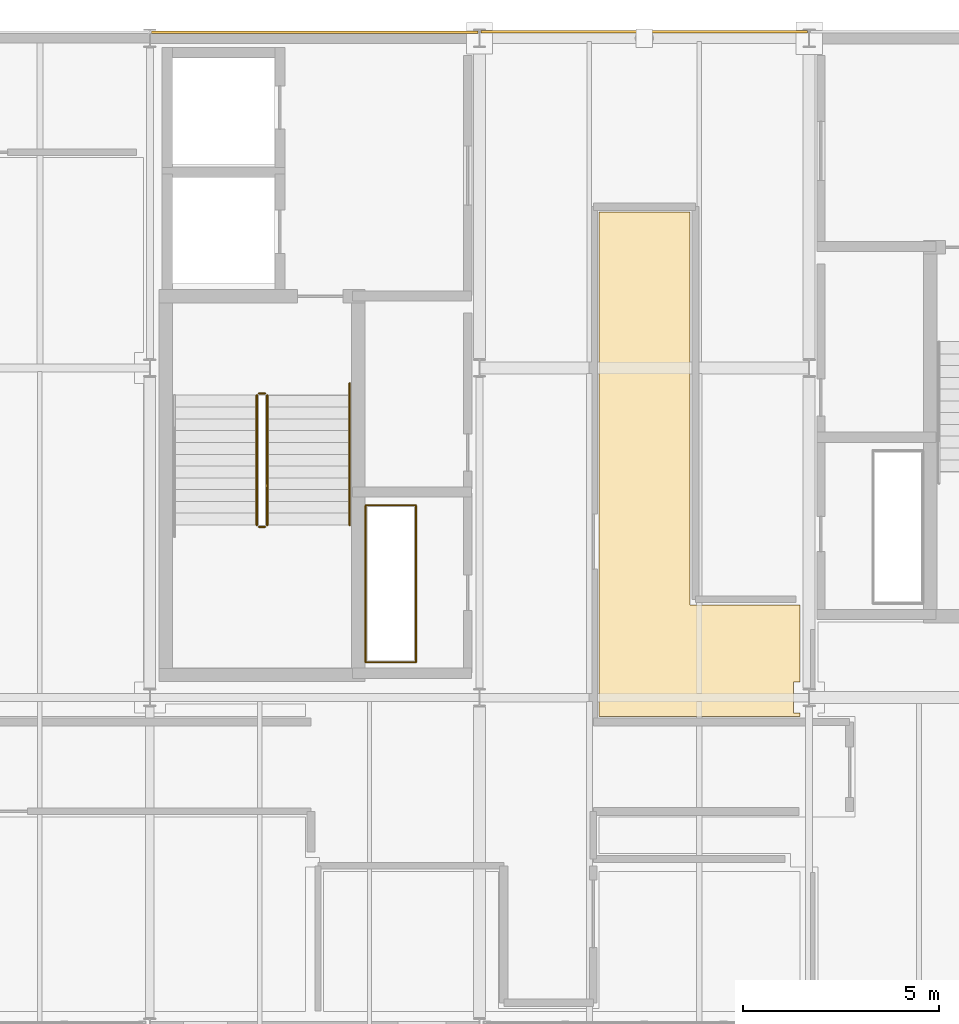
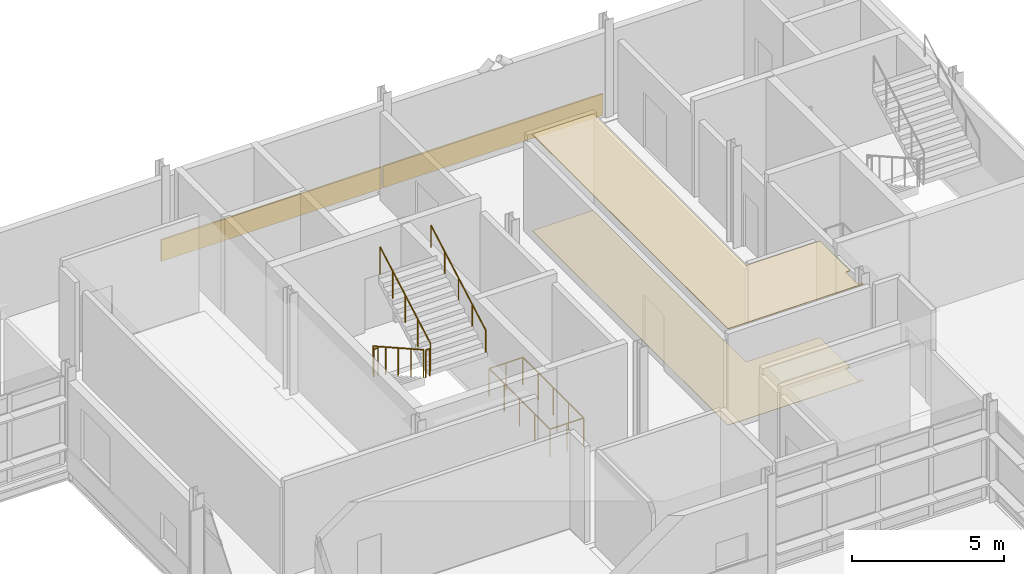
# One storey, part 102 of 103: 6 railings, 4 coverings.
"""IFC4 building model written with IfcOpenShell, lengths in metres."""

from ifc_helpers import new_model, si_unit, direction, frame, origin, origin_2d, place, context, subcontext, project, spatial, polyline, rectangle, circle, outline, extrude, material, layer, layer_set, type_object, element, save


model = new_model("IFC4")

# Units and contexts
model_context = context("Model", 3, precision=1e-05, world=origin(), true_north=direction((0.0, 1.0)))
body_context = subcontext(model_context, "Body", "Model", "MODEL_VIEW")
ifc_project = project(units=[si_unit("LENGTHUNIT", "METRE"), si_unit("AREAUNIT", "SQUARE_METRE"), si_unit("VOLUMEUNIT", "CUBIC_METRE"), si_unit("PLANEANGLEUNIT", "RADIAN"), si_unit("MASSUNIT", "GRAM", prefix="KILO")], contexts=[model_context])

# Site, building, storey
site_placement = place(None, origin())
site = spatial("IfcSite", under=ifc_project, at=site_placement, CompositionType="ELEMENT")
building_placement = place(site_placement, origin())
building = spatial("IfcBuilding", under=site, at=building_placement, Name="Mersafa Astral City Hall", CompositionType="ELEMENT")
storey_placement = place(building_placement, frame((0.0, 0.0, 18.0)))
storey = spatial("IfcBuildingStorey", under=building, at=storey_placement, Name="L04", CompositionType="ELEMENT", Elevation=18.0)

# Coverings
ifc_material_1 = material(Name="Cairo Mokattam buff limestone cladding", Category="masonry")
ifc_layer_1 = layer(ifc_material_1, 0.06005859375, Name="Cairo Mokattam buff limestone cladding")
ifc_layer_set_1 = layer_set([ifc_layer_1], Name="Cairo Mokattam buff limestone cladding — ENV-COV-LIMESTONE-60")
covering_type_1 = type_object("IfcCoveringType", Name="ENV-COV-LIMESTONE-60", PredefinedType="CLADDING", material=ifc_layer_set_1)
for number, where, z_axis, x_axis, name in (
    (1, (163.800048828125, 126.162109375, 0.0), (0.0, 0.0, 1.0), (-1.0, 0.0, 0.0), "L04 Cairo buff limestone rainscreen cladding 281"),
    (2, (155.39990234375, 126.154541015625, 0.0), (0.0, 0.0, 1.0), (-1.0, 0.0, 0.0), "L04 Cairo buff limestone rainscreen cladding 282"),
):
    element("IfcCovering", number, at=place(storey_placement, frame(where, z_axis=z_axis, x_axis=x_axis)), inside=storey, type_object=covering_type_1, Name=name, PredefinedType="CLADDING", context=body_context, shape_type="SweptSolid", body=[
        extrude(rectangle(XDim=8.323974609375, YDim=0.06005859375, at=origin_2d()), origin(), (0.0, 0.0, 1.0), 0.860107421875),
    ])

# Railings
ifc_material_2 = material(Name="Painted architectural steel stair guard balustrade", Category="steel")
railing_type_1 = type_object("IfcRailingType", Name="GUARD-RAIL", PredefinedType="BALUSTRADE", material=ifc_material_2)
railing_1_placement = place(storey_placement, frame((153.929931640625, 116.89990234375, 0.168701171875)))
element("IfcRailing", 3, at=railing_1_placement, inside=storey, type_object=railing_type_1, Name="L04 ST1 stair guard 1", PredefinedType="BALUSTRADE", context=body_context, shape_type="SweptSolid", body=[
    extrude(circle(Radius=0.02392578125, at=origin_2d()), frame((0.0, 0.0, 1.09619140625), z_axis=(0.0, -0.871568648517, 0.490273485845), x_axis=(1.0, 0.0, 0.0)), (0.0, 0.0, 1.0), 3.7861328125),
    extrude(circle(Radius=0.02099609375, at=origin_2d()), origin(), (0.0, 0.0, 1.0), 1.072021484375),
    extrude(circle(Radius=0.02099609375, at=origin_2d()), frame((0.0, -0.824951171875, 0.464111328125)), (0.0, 0.0, 1.0), 1.072021484375),
    extrude(circle(Radius=0.02099609375, at=origin_2d()), frame((0.0, -1.64990234375, 0.92822265625)), (0.0, 0.0, 1.0), 1.072021484375),
    extrude(circle(Radius=0.02099609375, at=origin_2d()), frame((0.0, -2.474853515625, 1.39208984375)), (0.0, 0.0, 1.0), 1.072021484375),
    extrude(circle(Radius=0.02099609375, at=origin_2d()), frame((0.0, -3.2998046875, 1.856201171875)), (0.0, 0.0, 1.0), 1.072021484375),
])
railing_2_placement = place(storey_placement, frame((153.97998046875, 113.550048828125, 2.02490234375)))
element("IfcRailing", 4, at=railing_2_placement, inside=storey, type_object=railing_type_1, Name="L04 ST1 stair guard 2", PredefinedType="BALUSTRADE", context=body_context, shape_type="SweptSolid", body=[
    extrude(circle(Radius=0.02392578125, at=origin_2d()), frame((0.0, 0.0, 1.09619140625), z_axis=(1.0, 0.0, 0.0), x_axis=(0.0, 1.0, 0.0)), (0.0, 0.0, 1.0), 0.159912109375),
    extrude(circle(Radius=0.02099609375, at=origin_2d()), origin(), (0.0, 0.0, 1.0), 1.072021484375),
    extrude(circle(Radius=0.02099609375, at=origin_2d()), frame((0.159912109375, 0.0, 0.0)), (0.0, 0.0, 1.0), 1.072021484375),
])
railing_3_placement = place(storey_placement, frame((154.18994140625, 113.60009765625, 2.19384765625)))
element("IfcRailing", 5, at=railing_3_placement, inside=storey, type_object=railing_type_1, Name="L04 ST1 stair guard 3", PredefinedType="BALUSTRADE", context=body_context, shape_type="SweptSolid", body=[
    extrude(circle(Radius=0.02392578125, at=origin_2d()), frame((0.0, 0.0, 1.09619140625), z_axis=(0.0, 0.871568648517, 0.490273485845), x_axis=(-1.0, 0.0, 0.0)), (0.0, 0.0, 1.0), 3.7861328125),
    extrude(circle(Radius=0.02099609375, at=origin_2d()), origin(), (0.0, 0.0, 1.0), 1.072021484375),
    extrude(circle(Radius=0.02099609375, at=origin_2d()), frame((0.0, 0.824951171875, 0.464111328125)), (0.0, 0.0, 1.0), 1.072021484375),
    extrude(circle(Radius=0.02099609375, at=origin_2d()), frame((0.0, 1.64990234375, 0.92822265625)), (0.0, 0.0, 1.0), 1.072021484375),
    extrude(circle(Radius=0.02099609375, at=origin_2d()), frame((0.0, 2.474853515625, 1.39208984375)), (0.0, 0.0, 1.0), 1.072021484375),
    extrude(circle(Radius=0.02099609375, at=origin_2d()), frame((0.0, 3.2998046875, 1.856201171875)), (0.0, 0.0, 1.0), 1.072021484375),
])
railing_4_placement = place(storey_placement, frame((153.97998046875, 116.949951171875, 0.0)))
element("IfcRailing", 6, at=railing_4_placement, inside=storey, type_object=railing_type_1, Name="L04 ST1 stair guard 4", PredefinedType="BALUSTRADE", context=body_context, shape_type="SweptSolid", body=[
    extrude(circle(Radius=0.02392578125, at=origin_2d()), frame((0.0, 0.0, 1.09619140625), z_axis=(1.0, 0.0, 0.0), x_axis=(0.0, 1.0, 0.0)), (0.0, 0.0, 1.0), 0.159912109375),
    extrude(circle(Radius=0.02099609375, at=origin_2d()), origin(), (0.0, 0.0, 1.0), 1.072021484375),
    extrude(circle(Radius=0.02099609375, at=origin_2d()), frame((0.159912109375, 0.0, 0.0)), (0.0, 0.0, 1.0), 1.072021484375),
])
railing_5_placement = place(storey_placement, frame((156.699951171875, 110.10009765625, 0.0)))
element("IfcRailing", 7, at=railing_5_placement, inside=storey, type_object=railing_type_1, Name="L04 K1 MEP Riser Shaft Guard", PredefinedType="BALUSTRADE", context=body_context, shape_type="SweptSolid", body=[
    extrude(circle(Radius=0.02392578125, at=origin_2d()), frame((0.0, 0.0, 1.09619140625), z_axis=(1.0, 0.0, 0.0), x_axis=(0.0, 1.0, 0.0)), (0.0, 0.0, 1.0), 1.280029296875),
    extrude(circle(Radius=0.02392578125, at=origin_2d()), frame((1.280029296875, 0.0, 1.09619140625), z_axis=(0.0, 1.0, 0.0), x_axis=(-1.0, 0.0, 0.0)), (0.0, 0.0, 1.0), 4.0),
    extrude(circle(Radius=0.02392578125, at=origin_2d()), frame((1.280029296875, 4.0, 1.09619140625), z_axis=(-1.0, 0.0, 0.0), x_axis=(0.0, -1.0, 0.0)), (0.0, 0.0, 1.0), 1.280029296875),
    extrude(circle(Radius=0.02392578125, at=origin_2d()), frame((0.0, 4.0, 1.09619140625), z_axis=(0.0, -1.0, 0.0), x_axis=(1.0, 0.0, 0.0)), (0.0, 0.0, 1.0), 4.0),
    extrude(circle(Radius=0.02099609375, at=origin_2d()), origin(), (0.0, 0.0, 1.0), 1.072021484375),
    extrude(circle(Radius=0.02099609375, at=origin_2d()), frame((0.64013671875, 0.0, 0.0)), (0.0, 0.0, 1.0), 1.072021484375),
    extrude(circle(Radius=0.02099609375, at=origin_2d()), frame((1.280029296875, 0.0, 0.0)), (0.0, 0.0, 1.0), 1.072021484375),
    extrude(circle(Radius=0.02099609375, at=origin_2d()), frame((1.280029296875, 1.0, 0.0)), (0.0, 0.0, 1.0), 1.072021484375),
    extrude(circle(Radius=0.02099609375, at=origin_2d()), frame((1.280029296875, 2.0, 0.0)), (0.0, 0.0, 1.0), 1.072021484375),
    extrude(circle(Radius=0.02099609375, at=origin_2d()), frame((1.280029296875, 3.0, 0.0)), (0.0, 0.0, 1.0), 1.072021484375),
    extrude(circle(Radius=0.02099609375, at=origin_2d()), frame((1.280029296875, 4.0, 0.0)), (0.0, 0.0, 1.0), 1.072021484375),
    extrude(circle(Radius=0.02099609375, at=origin_2d()), frame((0.64013671875, 4.0, 0.0)), (0.0, 0.0, 1.0), 1.072021484375),
    extrude(circle(Radius=0.02099609375, at=origin_2d()), frame((0.0, 4.0, 0.0)), (0.0, 0.0, 1.0), 1.072021484375),
    extrude(circle(Radius=0.02099609375, at=origin_2d()), frame((0.0, 3.0, 0.0)), (0.0, 0.0, 1.0), 1.072021484375),
    extrude(circle(Radius=0.02099609375, at=origin_2d()), frame((0.0, 2.0, 0.0)), (0.0, 0.0, 1.0), 1.072021484375),
    extrude(circle(Radius=0.02099609375, at=origin_2d()), frame((0.0, 1.0, 0.0)), (0.0, 0.0, 1.0), 1.072021484375),
])
ifc_material_3 = material(Name="Brushed stainless steel tubular handrail", Category="steel")
railing_type_2 = type_object("IfcRailingType", Name="HANDRAIL", PredefinedType="HANDRAIL", material=ifc_material_3)
railing_6_placement = place(storey_placement, frame((156.2900390625, 113.60009765625, 2.19384765625)))
element("IfcRailing", 8, at=railing_6_placement, inside=storey, type_object=railing_type_2, Name="L04 ST1 stair handrail 2", PredefinedType="HANDRAIL", context=body_context, shape_type="SweptSolid", body=[
    extrude(circle(Radius=0.02392578125, at=origin_2d()), frame((0.0, 0.0, 0.8759765625), z_axis=(0.0, 0.871273963605, 0.490796984856), x_axis=(-1.0, 0.0, 0.0)), (0.0, 0.0, 1.0), 4.131591796875),
    extrude(circle(Radius=0.02099609375, at=origin_2d()), origin(), (0.0, 0.0, 1.0), 0.851806640625),
    extrude(circle(Radius=0.02099609375, at=origin_2d()), frame((0.0, 0.89990234375, 0.5068359375)), (0.0, 0.0, 1.0), 0.851806640625),
    extrude(circle(Radius=0.02099609375, at=origin_2d()), frame((0.0, 1.7998046875, 1.013916015625)), (0.0, 0.0, 1.0), 0.851806640625),
    extrude(circle(Radius=0.02099609375, at=origin_2d()), frame((0.0, 2.699951171875, 1.52099609375)), (0.0, 0.0, 1.0), 0.851806640625),
    extrude(circle(Radius=0.02099609375, at=origin_2d()), frame((0.0, 3.599853515625, 2.02783203125)), (0.0, 0.0, 1.0), 0.851806640625),
])

# Coverings
ifc_material_4 = material(Name="Perforated acoustic gypsum board ceiling", Category="gypsum")
ifc_layer_2 = layer(ifc_material_4, 0.02490234375, Name="Perforated acoustic gypsum board ceiling")
ifc_layer_set_2 = layer_set([ifc_layer_2], Name="Perforated acoustic gypsum board ceiling — INT-COV-CEIL-25")
covering_type_2 = type_object("IfcCoveringType", Name="INT-COV-CEIL-25", PredefinedType="CEILING", material=ifc_layer_set_2)
covering_1_placement = place(storey_placement, frame((0.0, 0.0, 3.85107421875)))
element("IfcCovering", 9, at=covering_1_placement, inside=storey, type_object=covering_type_2, Name="L04 Departmental Conference Room L04-06 acoustic ceiling", PredefinedType="CEILING", context=body_context, shape_type="SweptSolid", body=[
    extrude(outline(polyline([(164.9599609375, 121.570068359375), (164.9599609375, 111.56005859375), (167.77001953125, 111.56005859375), (167.77001953125, 109.594970703125), (167.60498046875, 109.594970703125), (167.60498046875, 108.804931640625), (167.77001953125, 108.804931640625), (167.77001953125, 108.719970703125), (162.639892578125, 108.719970703125), (162.639892578125, 121.570068359375), (164.9599609375, 121.570068359375)])), origin(), (0.0, 0.0, 1.0), 0.02490234375),
])
ifc_material_5 = material(Name="Heavy-duty woven acoustic carpet tile", Category="finish")
ifc_layer_3 = layer(ifc_material_5, 0.014892578125, Name="Heavy-duty woven acoustic carpet tile")
ifc_layer_set_3 = layer_set([ifc_layer_3], Name="Heavy-duty woven acoustic carpet tile — INT-COV-FLR-15")
covering_type_3 = type_object("IfcCoveringType", Name="INT-COV-FLR-15", PredefinedType="FLOORING", material=ifc_layer_set_3)
covering_2_placement = place(storey_placement, frame((0.0, 0.0, -0.00146484375)))
element("IfcCovering", 10, at=covering_2_placement, inside=storey, type_object=covering_type_3, Name="L04 Departmental Conference Room L04-06 architectural flooring", PredefinedType="FLOORING", context=body_context, shape_type="SweptSolid", body=[
    extrude(outline(polyline([(164.9599609375, 121.570068359375), (164.9599609375, 111.56005859375), (167.77001953125, 111.56005859375), (167.77001953125, 109.594970703125), (167.60498046875, 109.594970703125), (167.60498046875, 108.804931640625), (167.77001953125, 108.804931640625), (167.77001953125, 108.719970703125), (162.639892578125, 108.719970703125), (162.639892578125, 121.570068359375), (164.9599609375, 121.570068359375)])), origin(), (0.0, 0.0, 1.0), 0.014892578125),
])

save(model, "model.ifc")
